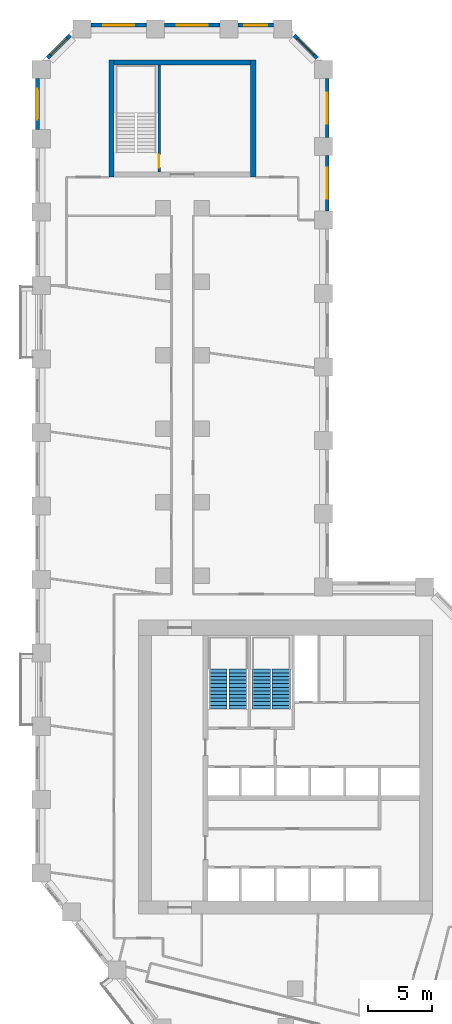
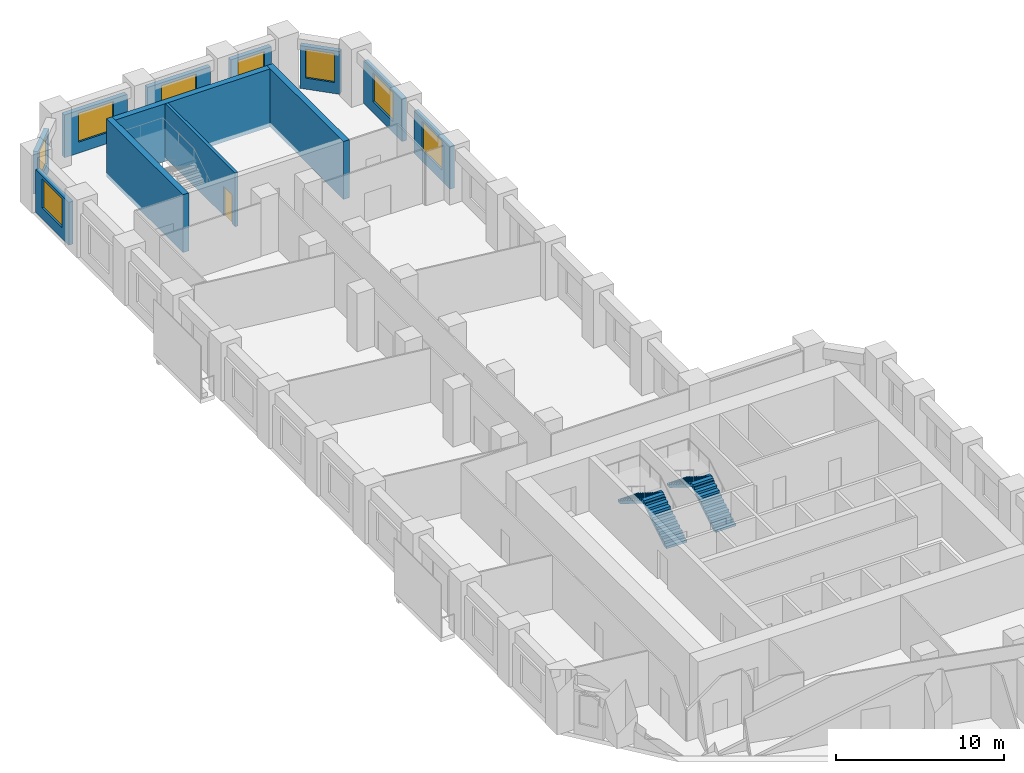
# One storey, part 9 of 11: 12 walls, 8 windows, 4 stair flights, 1 door, 9 openings, 2 elements without a shape of their own.
"""IFC4 building model written with IfcOpenShell, lengths in metres."""

from ifc_helpers import new_model, si_unit, direction, frame, frame_2d, origin, place, context, subcontext, project, spatial, polyline, rectangle, outline, extrude, material, layer, layer_set, type_object, element, fill, aggregate, save


model = new_model("IFC4")

# Units and contexts
model_context = context("Model", 3, precision=1e-05, world=origin(), true_north=direction((0.0, 1.0)))
body_context = subcontext(model_context, "Body", "Model", "MODEL_VIEW")
ifc_project = project(units=[si_unit("LENGTHUNIT", "METRE"), si_unit("AREAUNIT", "SQUARE_METRE"), si_unit("VOLUMEUNIT", "CUBIC_METRE"), si_unit("PLANEANGLEUNIT", "RADIAN"), si_unit("MASSUNIT", "GRAM", prefix="KILO")], contexts=[model_context])

# Site, building, storey
site_placement = place(None, origin())
site = spatial("IfcSite", under=ifc_project, at=site_placement, CompositionType="ELEMENT")
building_placement = place(site_placement, origin())
building = spatial("IfcBuilding", under=site, at=building_placement, Name="Meshkara Civic Tower", CompositionType="ELEMENT")
storey_placement = place(building_placement, frame((0.0, 0.0, 75.0)))
storey = spatial("IfcBuildingStorey", under=building, at=storey_placement, Name="L16", CompositionType="ELEMENT", Elevation=75.0)

# Wall, opening, window
ifc_material_1 = material(Name="Insulated infill panel with bronze anodised aluminium cladding", Category="aluminium")
ifc_layer_1 = layer(ifc_material_1, 0.300048828125)
ifc_layer_set_1 = layer_set([ifc_layer_1], Name="EXTERNAL INFILL WALL 300")
wall_type_1 = type_object("IfcWallType", Name="EXTERNAL INFILL WALL 300", PredefinedType="SOLIDWALL", material=ifc_layer_set_1)
wall_1_placement = place(storey_placement, frame((22.64990234375, 68.64990234375, 0.0), z_axis=(0.0, 0.0, 1.0), x_axis=(0.0, 1.0, 0.0)))
wall_1 = element("IfcWall", 1, at=wall_1_placement, inside=storey, type_object=wall_type_1, Name="External wall", PredefinedType="SOLIDWALL", context=body_context, shape_type="SweptSolid", body=[
    extrude(rectangle(XDim=4.300048828125, YDim=0.300048828125, at=frame_2d((2.14990234375, 0.0))), origin(), (0.0, 0.0, 1.0), 3.10009765625),
])
opening_1_placement = place(wall_1_placement, frame((0.949951171875, 0.0, 0.800048828125)))
opening_1 = element("IfcOpeningElement", 2, at=opening_1_placement, cuts=wall_1, Name="Opening W7", PredefinedType="OPENING", context=body_context, shape_type="SweptSolid", body=[
    extrude(rectangle(XDim=2.39990234375, YDim=2.10009765625, at=frame_2d((1.199951171875, 1.050048828125))), frame((0.0, 0.159912109375, 0.0), z_axis=(0.0, -1.0, 0.0), x_axis=(1.0, 0.0, 0.0)), (0.0, 0.0, 1.0), 0.320068359375),
])
ifc_material_2 = material(Name="Tinted double glazing", Category="glass")
window_type_1 = type_object("IfcWindowType", Name="WINDOW 2400x2100", PartitioningType="DOUBLE_PANEL_VERTICAL", PredefinedType="WINDOW", material=ifc_material_2)
window_1_placement = place(opening_1_placement, origin())
window_1 = element("IfcWindow", 3, at=window_1_placement, inside=storey, type_object=window_type_1, Name="Window", OverallHeight=2.10009765625, OverallWidth=2.39990234375, PartitioningType="DOUBLE_PANEL_VERTICAL", PredefinedType="WINDOW", context=body_context, shape_type="SweptSolid", body=[
    extrude(rectangle(XDim=2.39990234375, YDim=2.10009765625, at=frame_2d((1.199951171875, 1.050048828125))), frame((0.0, 0.030029296875, 0.0), z_axis=(0.0, -1.0, 0.0), x_axis=(1.0, 0.0, 0.0)), (0.0, 0.0, 1.0), 0.06005859375),
])
fill(opening_1, window_1)

wall_2_placement = place(storey_placement, frame((22.64990234375, 74.35009765625, 0.0), z_axis=(0.0, 0.0, 1.0), x_axis=(0.0, 1.0, 0.0)))
wall_2 = element("IfcWall", 4, at=wall_2_placement, inside=storey, type_object=wall_type_1, Name="External wall", PredefinedType="SOLIDWALL", context=body_context, shape_type="SweptSolid", body=[
    extrude(rectangle(XDim=4.56396484375, YDim=0.300048828125, at=frame_2d((2.281982421875, 0.0))), origin(), (0.0, 0.0, 1.0), 3.10009765625),
])
opening_2_placement = place(wall_2_placement, frame((1.08203125, 0.0, 0.800048828125)))
opening_2 = element("IfcOpeningElement", 5, at=opening_2_placement, cuts=wall_2, Name="Opening W7", PredefinedType="OPENING", context=body_context, shape_type="SweptSolid", body=[
    extrude(rectangle(XDim=2.39990234375, YDim=2.10009765625, at=frame_2d((1.199951171875, 1.050048828125))), frame((0.0, 0.159912109375, 0.0), z_axis=(0.0, -1.0, 0.0), x_axis=(1.0, 0.0, 0.0)), (0.0, 0.0, 1.0), 0.320068359375),
])
window_2_placement = place(opening_2_placement, origin())
window_2 = element("IfcWindow", 6, at=window_2_placement, inside=storey, type_object=window_type_1, Name="Window", OverallHeight=2.10009765625, OverallWidth=2.39990234375, PartitioningType="DOUBLE_PANEL_VERTICAL", PredefinedType="WINDOW", context=body_context, shape_type="SweptSolid", body=[
    extrude(rectangle(XDim=2.39990234375, YDim=2.10009765625, at=frame_2d((1.199951171875, 1.050048828125))), frame((0.0, 0.030029296875, 0.0), z_axis=(0.0, -1.0, 0.0), x_axis=(1.0, 0.0, 0.0)), (0.0, 0.0, 1.0), 0.06005859375),
])
fill(opening_2, window_2)

wall_3_placement = place(storey_placement, frame((21.862060546875, 80.52587890625, 0.0), z_axis=(0.0, 0.0, 1.0), x_axis=(-0.707106781187, 0.707106781187, 0.0)))
wall_3 = element("IfcWall", 7, at=wall_3_placement, inside=storey, type_object=wall_type_1, Name="External wall", PredefinedType="SOLIDWALL", context=body_context, shape_type="SweptSolid", body=[
    extrude(rectangle(XDim=2.4833984375, YDim=0.300048828125, at=frame_2d((1.24169921875, 0.0))), origin(), (0.0, 0.0, 1.0), 3.10009765625),
])
opening_3_placement = place(wall_3_placement, frame((0.342041015625, 0.0, 0.800048828125)))
opening_3 = element("IfcOpeningElement", 8, at=opening_3_placement, cuts=wall_3, Name="Opening W9", PredefinedType="OPENING", context=body_context, shape_type="SweptSolid", body=[
    extrude(rectangle(XDim=1.800048828125, YDim=2.10009765625, at=frame_2d((0.89990234375, 1.050048828125))), frame((0.0, 0.159912109375, 0.0), z_axis=(0.0, -1.0, 0.0), x_axis=(1.0, 0.0, 0.0)), (0.0, 0.0, 1.0), 0.320068359375),
])
ifc_material_3 = material(Name="Tinted double glazing", Category="glass")
window_type_2 = type_object("IfcWindowType", Name="WINDOW 1800x2100", PartitioningType="DOUBLE_PANEL_VERTICAL", PredefinedType="WINDOW", material=ifc_material_3)
window_3_placement = place(opening_3_placement, origin())
window_3 = element("IfcWindow", 9, at=window_3_placement, inside=storey, type_object=window_type_2, Name="Window", OverallHeight=2.10009765625, OverallWidth=1.800048828125, PartitioningType="DOUBLE_PANEL_VERTICAL", PredefinedType="WINDOW", context=body_context, shape_type="SweptSolid", body=[
    extrude(rectangle(XDim=1.800048828125, YDim=2.10009765625, at=frame_2d((0.89990234375, 1.050048828125))), frame((0.0, 0.030029296875, 0.0), z_axis=(0.0, -1.0, 0.0), x_axis=(1.0, 0.0, 0.0)), (0.0, 0.0, 1.0), 0.06005859375),
])
fill(opening_3, window_3)

wall_4_placement = place(storey_placement, frame((18.493896484375, 83.070068359375, 0.0), z_axis=(0.0, 0.0, 1.0), x_axis=(-1.0, 0.0, 0.0)))
wall_4 = element("IfcWall", 10, at=wall_4_placement, inside=storey, type_object=wall_type_1, Name="External wall", PredefinedType="SOLIDWALL", context=body_context, shape_type="SweptSolid", body=[
    extrude(rectangle(XDim=2.787841796875, YDim=0.300048828125, at=frame_2d((1.39404296875, 0.0))), origin(), (0.0, 0.0, 1.0), 3.10009765625),
])
opening_4_placement = place(wall_4_placement, frame((0.493896484375, 0.0, 0.800048828125)))
opening_4 = element("IfcOpeningElement", 11, at=opening_4_placement, cuts=wall_4, Name="Opening W9", PredefinedType="OPENING", context=body_context, shape_type="SweptSolid", body=[
    extrude(rectangle(XDim=1.800048828125, YDim=2.10009765625, at=frame_2d((0.89990234375, 1.050048828125))), frame((0.0, 0.159912109375, 0.0), z_axis=(0.0, -1.0, 0.0), x_axis=(1.0, 0.0, 0.0)), (0.0, 0.0, 1.0), 0.320068359375),
])
window_4_placement = place(opening_4_placement, origin())
window_4 = element("IfcWindow", 12, at=window_4_placement, inside=storey, type_object=window_type_2, Name="Window", OverallHeight=2.10009765625, OverallWidth=1.800048828125, PartitioningType="DOUBLE_PANEL_VERTICAL", PredefinedType="WINDOW", context=body_context, shape_type="SweptSolid", body=[
    extrude(rectangle(XDim=1.800048828125, YDim=2.10009765625, at=frame_2d((0.89990234375, 1.050048828125))), frame((0.0, 0.030029296875, 0.0), z_axis=(0.0, -1.0, 0.0), x_axis=(1.0, 0.0, 0.0)), (0.0, 0.0, 1.0), 0.06005859375),
])
fill(opening_4, window_4)

wall_5_placement = place(storey_placement, frame((14.305908203125, 83.070068359375, 0.0), z_axis=(0.0, 0.0, 1.0), x_axis=(-1.0, 0.0, 0.0)))
wall_5 = element("IfcWall", 13, at=wall_5_placement, inside=storey, type_object=wall_type_1, Name="External wall", PredefinedType="SOLIDWALL", context=body_context, shape_type="SweptSolid", body=[
    extrude(rectangle(XDim=4.2998046875, YDim=0.300048828125, at=frame_2d((2.14990234375, 0.0))), origin(), (0.0, 0.0, 1.0), 3.10009765625),
])
opening_5_placement = place(wall_5_placement, frame((0.949951171875, 0.0, 0.800048828125)))
opening_5 = element("IfcOpeningElement", 14, at=opening_5_placement, cuts=wall_5, Name="Opening W7", PredefinedType="OPENING", context=body_context, shape_type="SweptSolid", body=[
    extrude(rectangle(XDim=2.39990234375, YDim=2.10009765625, at=frame_2d((1.199951171875, 1.050048828125))), frame((0.0, 0.159912109375, 0.0), z_axis=(0.0, -1.0, 0.0), x_axis=(1.0, 0.0, 0.0)), (0.0, 0.0, 1.0), 0.320068359375),
])
window_5_placement = place(opening_5_placement, origin())
window_5 = element("IfcWindow", 15, at=window_5_placement, inside=storey, type_object=window_type_1, Name="Window", OverallHeight=2.10009765625, OverallWidth=2.39990234375, PartitioningType="DOUBLE_PANEL_VERTICAL", PredefinedType="WINDOW", context=body_context, shape_type="SweptSolid", body=[
    extrude(rectangle(XDim=2.39990234375, YDim=2.10009765625, at=frame_2d((1.199951171875, 1.050048828125))), frame((0.0, 0.030029296875, 0.0), z_axis=(0.0, -1.0, 0.0), x_axis=(1.0, 0.0, 0.0)), (0.0, 0.0, 1.0), 0.06005859375),
])
fill(opening_5, window_5)

wall_6_placement = place(storey_placement, frame((8.60595703125, 83.070068359375, 0.0), z_axis=(0.0, 0.0, 1.0), x_axis=(-1.0, 0.0, 0.0)))
wall_6 = element("IfcWall", 16, at=wall_6_placement, inside=storey, type_object=wall_type_1, Name="External wall", PredefinedType="SOLIDWALL", context=body_context, shape_type="SweptSolid", body=[
    extrude(rectangle(XDim=4.300048828125, YDim=0.300048828125, at=frame_2d((2.14990234375, 0.0))), origin(), (0.0, 0.0, 1.0), 3.10009765625),
])
opening_6_placement = place(wall_6_placement, frame((0.949951171875, 0.0, 0.800048828125)))
opening_6 = element("IfcOpeningElement", 17, at=opening_6_placement, cuts=wall_6, Name="Opening W7", PredefinedType="OPENING", context=body_context, shape_type="SweptSolid", body=[
    extrude(rectangle(XDim=2.39990234375, YDim=2.10009765625, at=frame_2d((1.199951171875, 1.050048828125))), frame((0.0, 0.159912109375, 0.0), z_axis=(0.0, -1.0, 0.0), x_axis=(1.0, 0.0, 0.0)), (0.0, 0.0, 1.0), 0.320068359375),
])
window_6_placement = place(opening_6_placement, origin())
window_6 = element("IfcWindow", 18, at=window_6_placement, inside=storey, type_object=window_type_1, Name="Window", OverallHeight=2.10009765625, OverallWidth=2.39990234375, PartitioningType="DOUBLE_PANEL_VERTICAL", PredefinedType="WINDOW", context=body_context, shape_type="SweptSolid", body=[
    extrude(rectangle(XDim=2.39990234375, YDim=2.10009765625, at=frame_2d((1.199951171875, 1.050048828125))), frame((0.0, 0.030029296875, 0.0), z_axis=(0.0, -1.0, 0.0), x_axis=(1.0, 0.0, 0.0)), (0.0, 0.0, 1.0), 0.06005859375),
])
fill(opening_6, window_6)

wall_7_placement = place(storey_placement, frame((2.694091796875, 82.281982421875, 0.0), z_axis=(0.0, 0.0, 1.0), x_axis=(-0.707106781187, -0.707106781187, 0.0)))
wall_7 = element("IfcWall", 19, at=wall_7_placement, inside=storey, type_object=wall_type_1, Name="External wall", PredefinedType="SOLIDWALL", context=body_context, shape_type="SweptSolid", body=[
    extrude(rectangle(XDim=2.4833984375, YDim=0.300048828125, at=frame_2d((1.24169921875, 0.0))), origin(), (0.0, 0.0, 1.0), 3.10009765625),
])
opening_7_placement = place(wall_7_placement, frame((0.342041015625, 0.0, 0.800048828125)))
opening_7 = element("IfcOpeningElement", 20, at=opening_7_placement, cuts=wall_7, Name="Opening W9", PredefinedType="OPENING", context=body_context, shape_type="SweptSolid", body=[
    extrude(rectangle(XDim=1.800048828125, YDim=2.10009765625, at=frame_2d((0.89990234375, 1.050048828125))), frame((0.0, 0.159912109375, 0.0), z_axis=(0.0, -1.0, 0.0), x_axis=(1.0, 0.0, 0.0)), (0.0, 0.0, 1.0), 0.320068359375),
])
window_7_placement = place(opening_7_placement, origin())
window_7 = element("IfcWindow", 21, at=window_7_placement, inside=storey, type_object=window_type_2, Name="Window", OverallHeight=2.10009765625, OverallWidth=1.800048828125, PartitioningType="DOUBLE_PANEL_VERTICAL", PredefinedType="WINDOW", context=body_context, shape_type="SweptSolid", body=[
    extrude(rectangle(XDim=1.800048828125, YDim=2.10009765625, at=frame_2d((0.89990234375, 1.050048828125))), frame((0.0, 0.030029296875, 0.0), z_axis=(0.0, -1.0, 0.0), x_axis=(1.0, 0.0, 0.0)), (0.0, 0.0, 1.0), 0.06005859375),
])
fill(opening_7, window_7)

wall_8_placement = place(storey_placement, frame((0.14990234375, 78.9140625, 0.0), z_axis=(0.0, 0.0, 1.0), x_axis=(0.0, -1.0, 0.0)))
wall_8 = element("IfcWall", 22, at=wall_8_placement, inside=storey, type_object=wall_type_1, Name="External wall", PredefinedType="SOLIDWALL", context=body_context, shape_type="SweptSolid", body=[
    extrude(rectangle(XDim=3.958984375, YDim=0.300048828125, at=frame_2d((1.9794921875, 0.0))), origin(), (0.0, 0.0, 1.0), 3.10009765625),
])
opening_8_placement = place(wall_8_placement, frame((0.780029296875, 0.0, 0.800048828125)))
opening_8 = element("IfcOpeningElement", 23, at=opening_8_placement, cuts=wall_8, Name="Opening W7", PredefinedType="OPENING", context=body_context, shape_type="SweptSolid", body=[
    extrude(rectangle(XDim=2.39990234375, YDim=2.10009765625, at=frame_2d((1.199951171875, 1.050048828125))), frame((0.0, 0.159912109375, 0.0), z_axis=(0.0, -1.0, 0.0), x_axis=(1.0, 0.0, 0.0)), (0.0, 0.0, 1.0), 0.320068359375),
])
window_8_placement = place(opening_8_placement, origin())
window_8 = element("IfcWindow", 24, at=window_8_placement, inside=storey, type_object=window_type_1, Name="Window", OverallHeight=2.10009765625, OverallWidth=2.39990234375, PartitioningType="DOUBLE_PANEL_VERTICAL", PredefinedType="WINDOW", context=body_context, shape_type="SweptSolid", body=[
    extrude(rectangle(XDim=2.39990234375, YDim=2.10009765625, at=frame_2d((1.199951171875, 1.050048828125))), frame((0.0, 0.030029296875, 0.0), z_axis=(0.0, -1.0, 0.0), x_axis=(1.0, 0.0, 0.0)), (0.0, 0.0, 1.0), 0.06005859375),
])
fill(opening_8, window_8)

# Walls
ifc_material_4 = material(Name="Concrete C80", Category="concrete")
ifc_layer_2 = layer(ifc_material_4, 0.39990234375)
ifc_layer_set_2 = layer_set([ifc_layer_2], Name="End core ring wall 400 C80")
wall_type_2 = type_object("IfcWallType", Name="End core ring wall 400 C80", PredefinedType="SHEAR", material=ifc_layer_set_2)
for number, where, z_axis, x_axis, name in (
    (25, (5.89990234375, 71.27001953125, -0.300048828125), (0.0, 0.0, 1.0), (0.0, 1.0, 0.0), "L16-C026"),
    (26, (16.89990234375, 71.27001953125, -0.300048828125), (0.0, 0.0, 1.0), (0.0, 1.0, 0.0), "L16-C027"),
):
    element("IfcWall", number, at=place(storey_placement, frame(where, z_axis=z_axis, x_axis=x_axis)), inside=storey, type_object=wall_type_2, Name=name, PredefinedType="SHEAR", context=body_context, shape_type="SweptSolid", body=[
        extrude(rectangle(XDim=9.10009765625, YDim=0.39990234375, at=frame_2d((4.550048828125, 0.0))), origin(), (0.0, 0.0, 1.0), 4.199951171875),
    ])
wall_9_placement = place(storey_placement, frame((6.10009765625, 80.169921875, -0.300048828125), z_axis=(0.0, 0.0, 1.0), x_axis=(1.0, 0.0, 0.0)))
element("IfcWall", 27, at=wall_9_placement, inside=storey, type_object=wall_type_2, Name="L16-C029", PredefinedType="SHEAR", context=body_context, shape_type="SweptSolid", body=[
    extrude(rectangle(XDim=10.599853515625, YDim=0.39990234375, at=frame_2d((5.2998046875, 0.0))), origin(), (0.0, 0.0, 1.0), 4.199951171875),
])

# Wall, opening, door
ifc_material_5 = material(Name="Concrete C40/50", Category="concrete")
ifc_layer_3 = layer(ifc_material_5, 0.199951171875)
ifc_layer_set_3 = layer_set([ifc_layer_3], Name="Stair enclosure wall 200 C40/50")
wall_type_3 = type_object("IfcWallType", Name="Stair enclosure wall 200 C40/50", PredefinedType="SOLIDWALL", material=ifc_layer_set_3)
wall_10_placement = place(storey_placement, frame((9.60009765625, 71.669921875, 0.0), z_axis=(0.0, 0.0, 1.0), x_axis=(0.0, 1.0, 0.0)))
wall_10 = element("IfcWall", 28, at=wall_10_placement, inside=storey, type_object=wall_type_3, Name="L16-C030", PredefinedType="SOLIDWALL", context=body_context, shape_type="SweptSolid", body=[
    extrude(rectangle(XDim=8.300048828125, YDim=0.199951171875, at=frame_2d((4.14990234375, 0.0))), origin(), (0.0, 0.0, 1.0), 3.89990234375),
])
opening_9_placement = place(wall_10_placement, frame((0.35009765625, 0.0, 0.0)))
opening_9 = element("IfcOpeningElement", 29, at=opening_9_placement, cuts=wall_10, Name="Opening L16-K101", PredefinedType="OPENING", context=body_context, shape_type="SweptSolid", body=[
    extrude(rectangle(XDim=1.0, YDim=2.10009765625, at=frame_2d((0.5, 1.050048828125))), frame((0.0, 0.10986328125, 0.0), z_axis=(0.0, -1.0, 0.0), x_axis=(1.0, 0.0, 0.0)), (0.0, 0.0, 1.0), 0.219970703125),
])
ifc_material_6 = material(Name="Fire-rated door leaf in steel frame", Category="steel")
door_type = type_object("IfcDoorType", Name="Stair door 1000 EI 120", OperationType="SINGLE_SWING_LEFT", PredefinedType="DOOR", material=ifc_material_6)
door_placement = place(opening_9_placement, origin())
door = element("IfcDoor", 30, at=door_placement, inside=storey, type_object=door_type, Name="L16-K101", OperationType="SINGLE_SWING_RIGHT", OverallHeight=2.10009765625, OverallWidth=1.0, PredefinedType="DOOR", context=body_context, shape_type="SweptSolid", body=[
    extrude(rectangle(XDim=1.0, YDim=2.10009765625, at=frame_2d((0.5, 1.050048828125))), frame((0.0, 0.02490234375, 0.0), z_axis=(0.0, -1.0, 0.0), x_axis=(1.0, 0.0, 0.0)), (0.0, 0.0, 1.0), 0.050048828125),
])
fill(opening_9, door)

# Stair, stair flights
ifc_material_7 = material(Name="Precast concrete C40/50", Category="concrete")
stair_type = type_object("IfcStairType", Name="Exit stair half-turn 24 risers precast", PredefinedType="HALF_TURN_STAIR", material=ifc_material_7)
stair_1_placement = place(storey_placement, origin())
stair_1 = element("IfcStair", 31, at=stair_1_placement, inside=storey, type_object=stair_type, Name="L16 exit stair 1", PredefinedType="HALF_TURN_STAIR")
ifc_material_8 = material(Name="Precast concrete C40/50", Category="concrete")
stair_flight_type = type_object("IfcStairFlightType", Name="Exit stair flight 12 risers precast", PredefinedType="STRAIGHT", material=ifc_material_8)
stair_flight_1_placement = place(storey_placement, frame((15.72509765625, 30.0, 0.0), z_axis=(0.0, 0.0, 1.0), x_axis=(0.0, 1.0, 0.0)))
stair_flight_1 = element("IfcStairFlight", 32, at=stair_flight_1_placement, type_object=stair_flight_type, Name="ST1 flight 1", NumberOfRisers=12, NumberOfTreads=11, PredefinedType="STRAIGHT", RiserHeight=0.175, TreadLength=0.28, context=body_context, shape_type="SweptSolid", body=[
    extrude(outline(polyline([(0.0, 0.0), (0.0, 0.175048828125), (0.280029296875, 0.175048828125), (0.280029296875, 0.35009765625), (0.56005859375, 0.35009765625), (0.56005859375, 0.52490234375), (0.840087890625, 0.52490234375), (0.840087890625, 0.699951171875), (1.1201171875, 0.699951171875), (1.1201171875, 0.875), (1.39990234375, 0.875), (1.39990234375, 1.050048828125), (1.679931640625, 1.050048828125), (1.679931640625, 1.22509765625), (1.9599609375, 1.22509765625), (1.9599609375, 1.39990234375), (2.239990234375, 1.39990234375), (2.239990234375, 1.574951171875), (2.52001953125, 1.574951171875), (2.52001953125, 1.75), (2.800048828125, 1.75), (2.800048828125, 1.925048828125), (3.080078125, 1.925048828125), (3.080078125, 2.10009765625), (3.080078125, 1.748291015625), (0.28271484375, 0.0), (0.0, 0.0)])), frame((0.0, 0.699951171875, 0.0), z_axis=(0.0, -1.0, 0.0), x_axis=(1.0, 0.0, 0.0)), (0.0, 0.0, 1.0), 1.39990234375),
])
stair_flight_2_placement = place(storey_placement, frame((14.175048828125, 33.080078125, 2.10009765625), z_axis=(0.0, 0.0, 1.0), x_axis=(0.0, -1.0, 0.0)))
stair_flight_2 = element("IfcStairFlight", 33, at=stair_flight_2_placement, type_object=stair_flight_type, Name="ST1 flight 2", NumberOfRisers=12, NumberOfTreads=11, PredefinedType="STRAIGHT", RiserHeight=0.175, TreadLength=0.28, context=body_context, shape_type="SweptSolid", body=[
    extrude(outline(polyline([(0.0, 0.0), (0.0, 0.175048828125), (0.280029296875, 0.175048828125), (0.280029296875, 0.35009765625), (0.56005859375, 0.35009765625), (0.56005859375, 0.52490234375), (0.840087890625, 0.52490234375), (0.840087890625, 0.699951171875), (1.1201171875, 0.699951171875), (1.1201171875, 0.875), (1.39990234375, 0.875), (1.39990234375, 1.050048828125), (1.679931640625, 1.050048828125), (1.679931640625, 1.22509765625), (1.9599609375, 1.22509765625), (1.9599609375, 1.39990234375), (2.239990234375, 1.39990234375), (2.239990234375, 1.574951171875), (2.52001953125, 1.574951171875), (2.52001953125, 1.75), (2.800048828125, 1.75), (2.800048828125, 1.925048828125), (3.080078125, 1.925048828125), (3.080078125, 2.10009765625), (3.080078125, 1.748291015625), (0.28271484375, 0.0), (0.0, 0.0)])), frame((0.0, 0.699951171875, 0.0), z_axis=(0.0, -1.0, 0.0), x_axis=(1.0, 0.0, 0.0)), (0.0, 0.0, 1.0), 1.39990234375),
])
aggregate(stair_1, [stair_flight_1, stair_flight_2])

stair_2_placement = place(storey_placement, origin())
stair_2 = element("IfcStair", 34, at=stair_2_placement, inside=storey, type_object=stair_type, Name="L16 exit stair 2", PredefinedType="HALF_TURN_STAIR")
stair_flight_3_placement = place(storey_placement, frame((19.074951171875, 30.0, 0.0), z_axis=(0.0, 0.0, 1.0), x_axis=(0.0, 1.0, 0.0)))
stair_flight_3 = element("IfcStairFlight", 35, at=stair_flight_3_placement, type_object=stair_flight_type, Name="ST2 flight 1", NumberOfRisers=12, NumberOfTreads=11, PredefinedType="STRAIGHT", RiserHeight=0.175, TreadLength=0.28, context=body_context, shape_type="SweptSolid", body=[
    extrude(outline(polyline([(0.0, 0.0), (0.0, 0.175048828125), (0.280029296875, 0.175048828125), (0.280029296875, 0.35009765625), (0.56005859375, 0.35009765625), (0.56005859375, 0.52490234375), (0.840087890625, 0.52490234375), (0.840087890625, 0.699951171875), (1.1201171875, 0.699951171875), (1.1201171875, 0.875), (1.39990234375, 0.875), (1.39990234375, 1.050048828125), (1.679931640625, 1.050048828125), (1.679931640625, 1.22509765625), (1.9599609375, 1.22509765625), (1.9599609375, 1.39990234375), (2.239990234375, 1.39990234375), (2.239990234375, 1.574951171875), (2.52001953125, 1.574951171875), (2.52001953125, 1.75), (2.800048828125, 1.75), (2.800048828125, 1.925048828125), (3.080078125, 1.925048828125), (3.080078125, 2.10009765625), (3.080078125, 1.748291015625), (0.28271484375, 0.0), (0.0, 0.0)])), frame((0.0, 0.699951171875, 0.0), z_axis=(0.0, -1.0, 0.0), x_axis=(1.0, 0.0, 0.0)), (0.0, 0.0, 1.0), 1.39990234375),
])
stair_flight_4_placement = place(storey_placement, frame((17.52490234375, 33.080078125, 2.10009765625), z_axis=(0.0, 0.0, 1.0), x_axis=(0.0, -1.0, 0.0)))
stair_flight_4 = element("IfcStairFlight", 36, at=stair_flight_4_placement, type_object=stair_flight_type, Name="ST2 flight 2", NumberOfRisers=12, NumberOfTreads=11, PredefinedType="STRAIGHT", RiserHeight=0.175, TreadLength=0.28, context=body_context, shape_type="SweptSolid", body=[
    extrude(outline(polyline([(0.0, 0.0), (0.0, 0.175048828125), (0.280029296875, 0.175048828125), (0.280029296875, 0.35009765625), (0.56005859375, 0.35009765625), (0.56005859375, 0.52490234375), (0.840087890625, 0.52490234375), (0.840087890625, 0.699951171875), (1.1201171875, 0.699951171875), (1.1201171875, 0.875), (1.39990234375, 0.875), (1.39990234375, 1.050048828125), (1.679931640625, 1.050048828125), (1.679931640625, 1.22509765625), (1.9599609375, 1.22509765625), (1.9599609375, 1.39990234375), (2.239990234375, 1.39990234375), (2.239990234375, 1.574951171875), (2.52001953125, 1.574951171875), (2.52001953125, 1.75), (2.800048828125, 1.75), (2.800048828125, 1.925048828125), (3.080078125, 1.925048828125), (3.080078125, 2.10009765625), (3.080078125, 1.748291015625), (0.28271484375, 0.0), (0.0, 0.0)])), frame((0.0, 0.699951171875, 0.0), z_axis=(0.0, -1.0, 0.0), x_axis=(1.0, 0.0, 0.0)), (0.0, 0.0, 1.0), 1.39990234375),
])
aggregate(stair_2, [stair_flight_3, stair_flight_4])

save(model, "model.ifc")
